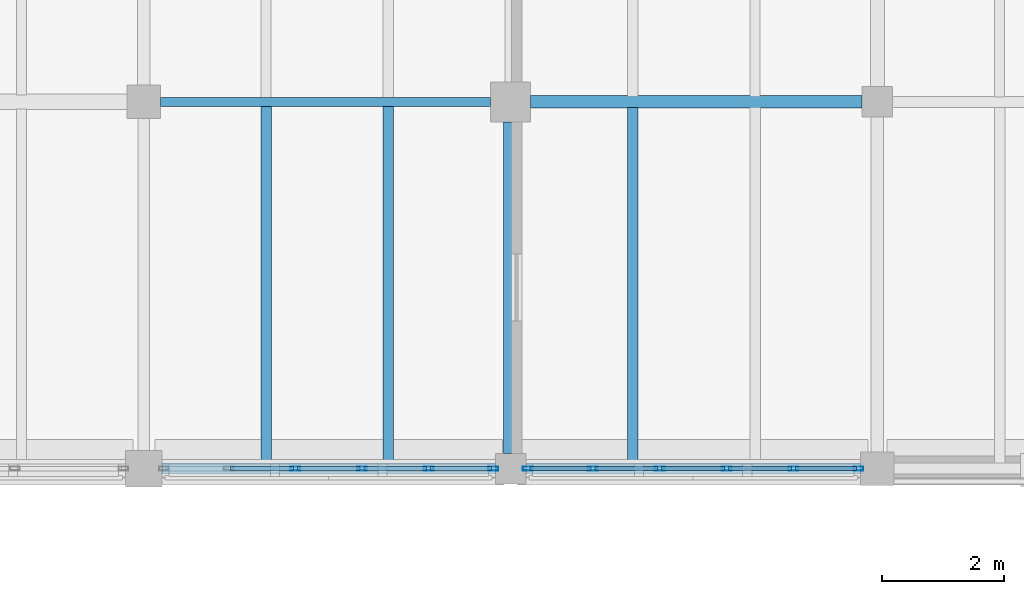
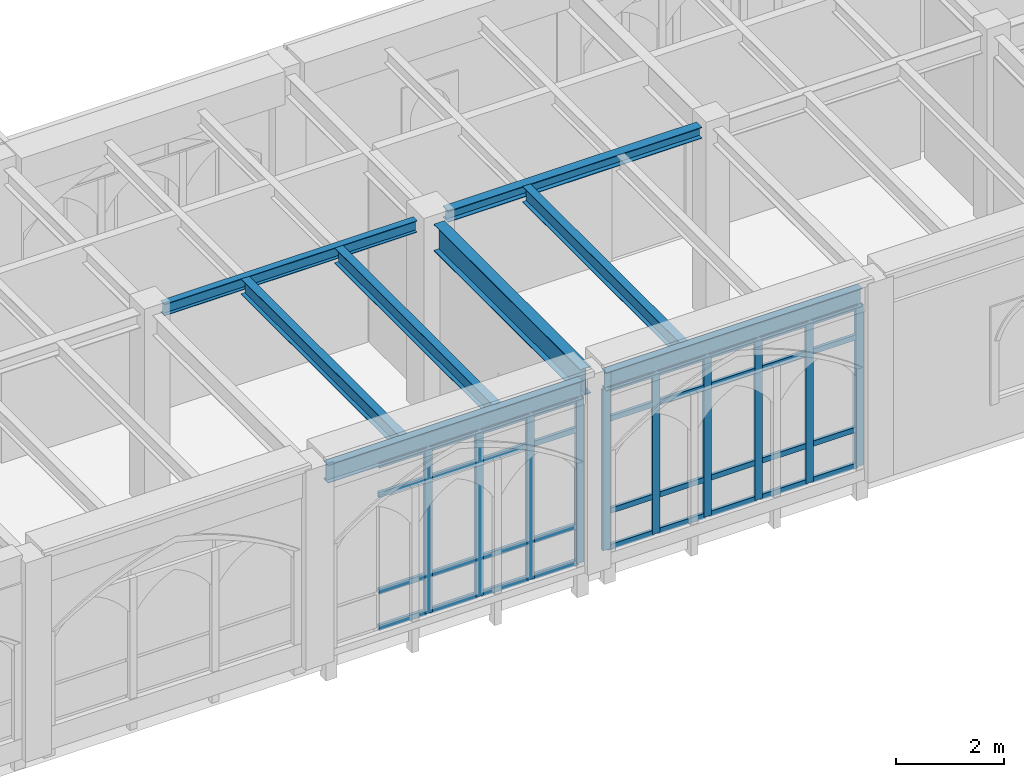
# One storey, part 26 of 143: 46 members, 8 beams, 2 elements without a shape of their own.
"""IFC4 building model written with IfcOpenShell, lengths in metres."""

from ifc_helpers import new_model, si_unit, direction, frame, origin, origin_2d, place, context, subcontext, project, spatial, hollow_rectangle, i_section, extrude, material, layer, layer_set, material_profile, profile_set, type_object, element, aggregate, save


model = new_model("IFC4")

# Units and contexts
model_context = context("Model", 3, precision=1e-05, world=origin(), true_north=direction((0.0, 1.0)))
body_context = subcontext(model_context, "Body", "Model", "MODEL_VIEW")
ifc_project = project(units=[si_unit("LENGTHUNIT", "METRE"), si_unit("AREAUNIT", "SQUARE_METRE"), si_unit("VOLUMEUNIT", "CUBIC_METRE"), si_unit("PLANEANGLEUNIT", "RADIAN"), si_unit("MASSUNIT", "GRAM", prefix="KILO")], contexts=[model_context])

# Site, building, storey
site_placement = place(None, origin())
site = spatial("IfcSite", under=ifc_project, at=site_placement, CompositionType="ELEMENT")
building_placement = place(site_placement, origin())
building = spatial("IfcBuilding", under=site, at=building_placement, Name="Cumevento Cable Car Station", CompositionType="ELEMENT")
storey_placement = place(building_placement, frame((0.0, 0.0, 9.0)))
storey = spatial("IfcBuildingStorey", under=building, at=storey_placement, Name="L03", CompositionType="ELEMENT", Elevation=9.0)

# Curtain wall, members
ifc_material_1 = material(Name="Anodised Bronze Aluminium AW-6063-T6", Category="aluminium")
ifc_layer_1 = layer(ifc_material_1, 0.159912109375)
ifc_layer_set_1 = layer_set([ifc_layer_1], Name="Anodised Bronze Aluminium AW-6063-T6")
curtain_wall_type_1 = type_object("IfcCurtainWallType", Name="Lancet Curtain Wall CW-01 1050", PredefinedType="NOTDEFINED", material=ifc_layer_set_1)
curtain_wall_1_placement = place(storey_placement, origin())
curtain_wall_1 = element("IfcCurtainWall", 1, at=curtain_wall_1_placement, inside=storey, type_object=curtain_wall_type_1, Name="Lancet Curtain Wall CW-01 L03 #96", PredefinedType="NOTDEFINED")
ifc_material_2 = material(Name="Anodised Bronze Aluminium AW-6063-T6", Category="aluminium")
ifc_material_profile_1 = material_profile(ifc_material_2, hollow_rectangle(XDim=0.06494140625, YDim=0.159912109375, WallThickness=0.00390625, at=origin_2d()), Name="ALUM65x160x4")
ifc_profile_set_1 = profile_set([ifc_material_profile_1], Name="Anodised Bronze Aluminium AW-6063-T6")
member_type_1 = type_object("IfcMemberType", Name="Curtain Mullion CWM-01 ALUM65x160x4", PredefinedType="MULLION", material=ifc_profile_set_1)
member_1_placement = place(storey_placement, frame((39.717529296875, 45.0, 0.159912109375), z_axis=(0.0, 0.0, 1.0), x_axis=(0.0, -1.0, 0.0)))
member_1 = element("IfcMember", 2, at=member_1_placement, type_object=member_type_1, Name="CW-01 mullion 1", PredefinedType="MULLION", context=body_context, shape_type="SweptSolid", body=[
    extrude(hollow_rectangle(XDim=0.06494140625, YDim=0.159912109375, WallThickness=0.00390625, at=origin_2d()), origin(), (0.0, 0.0, 1.0), 3.733154296875),
])
member_2_placement = place(storey_placement, frame((38.659912109375, 45.0, 0.159912109375), z_axis=(0.0, 0.0, 1.0), x_axis=(0.0, -1.0, 0.0)))
member_2 = element("IfcMember", 3, at=member_2_placement, type_object=member_type_1, Name="CW-01 mullion 2", PredefinedType="MULLION", context=body_context, shape_type="SweptSolid", body=[
    extrude(hollow_rectangle(XDim=0.06494140625, YDim=0.159912109375, WallThickness=0.00390625, at=origin_2d()), origin(), (0.0, 0.0, 1.0), 3.733154296875),
])
member_3_placement = place(storey_placement, frame((37.570068359375, 45.0, 0.159912109375), z_axis=(0.0, 0.0, 1.0), x_axis=(0.0, -1.0, 0.0)))
member_3 = element("IfcMember", 4, at=member_3_placement, type_object=member_type_1, Name="CW-01 mullion 3", PredefinedType="MULLION", context=body_context, shape_type="SweptSolid", body=[
    extrude(hollow_rectangle(XDim=0.06494140625, YDim=0.159912109375, WallThickness=0.00390625, at=origin_2d()), origin(), (0.0, 0.0, 1.0), 3.733154296875),
])
member_4_placement = place(storey_placement, frame((36.47998046875, 45.0, 0.159912109375), z_axis=(0.0, 0.0, 1.0), x_axis=(0.0, -1.0, 0.0)))
member_4 = element("IfcMember", 5, at=member_4_placement, type_object=member_type_1, Name="CW-01 mullion 4", PredefinedType="MULLION", context=body_context, shape_type="SweptSolid", body=[
    extrude(hollow_rectangle(XDim=0.06494140625, YDim=0.159912109375, WallThickness=0.00390625, at=origin_2d()), origin(), (0.0, 0.0, 1.0), 3.733154296875),
])

ifc_material_3 = material(Name="Anodised Bronze Aluminium AW-6063-T6", Category="aluminium")
ifc_layer_2 = layer(ifc_material_3, 0.172119140625)
ifc_layer_set_2 = layer_set([ifc_layer_2], Name="Anodised Bronze Aluminium AW-6063-T6")
curtain_wall_type_2 = type_object("IfcCurtainWallType", Name="Lancet Curtain Wall CW-03 1130", PredefinedType="NOTDEFINED", material=ifc_layer_set_2)
curtain_wall_2_placement = place(storey_placement, origin())
curtain_wall_2 = element("IfcCurtainWall", 6, at=curtain_wall_2_placement, inside=storey, type_object=curtain_wall_type_2, Name="Lancet Curtain Wall CW-03 L03 #98", PredefinedType="NOTDEFINED")
member_5_placement = place(storey_placement, frame((45.6923828125, 45.0, 0.260009765625), z_axis=(0.0, 0.0, 1.0), x_axis=(0.0, -1.0, 0.0)))
member_5 = element("IfcMember", 7, at=member_5_placement, type_object=member_type_1, Name="CW-03 mullion 1", PredefinedType="MULLION", context=body_context, shape_type="SweptSolid", body=[
    extrude(hollow_rectangle(XDim=0.06494140625, YDim=0.159912109375, WallThickness=0.00390625, at=origin_2d()), origin(), (0.0, 0.0, 1.0), 3.633056640625),
])
member_6_placement = place(storey_placement, frame((44.6298828125, 45.0, 0.260009765625), z_axis=(0.0, 0.0, 1.0), x_axis=(0.0, -1.0, 0.0)))
member_6 = element("IfcMember", 8, at=member_6_placement, type_object=member_type_1, Name="CW-03 mullion 2", PredefinedType="MULLION", context=body_context, shape_type="SweptSolid", body=[
    extrude(hollow_rectangle(XDim=0.06494140625, YDim=0.159912109375, WallThickness=0.00390625, at=origin_2d()), origin(), (0.0, 0.0, 1.0), 3.633056640625),
])
member_7_placement = place(storey_placement, frame((43.534912109375, 45.0, 0.260009765625), z_axis=(0.0, 0.0, 1.0), x_axis=(0.0, -1.0, 0.0)))
member_7 = element("IfcMember", 9, at=member_7_placement, type_object=member_type_1, Name="CW-03 mullion 3", PredefinedType="MULLION", context=body_context, shape_type="SweptSolid", body=[
    extrude(hollow_rectangle(XDim=0.06494140625, YDim=0.159912109375, WallThickness=0.00390625, at=origin_2d()), origin(), (0.0, 0.0, 1.0), 3.633056640625),
])
member_8_placement = place(storey_placement, frame((42.43994140625, 45.0, 0.260009765625), z_axis=(0.0, 0.0, 1.0), x_axis=(0.0, -1.0, 0.0)))
member_8 = element("IfcMember", 10, at=member_8_placement, type_object=member_type_1, Name="CW-03 mullion 4", PredefinedType="MULLION", context=body_context, shape_type="SweptSolid", body=[
    extrude(hollow_rectangle(XDim=0.06494140625, YDim=0.159912109375, WallThickness=0.00390625, at=origin_2d()), origin(), (0.0, 0.0, 1.0), 3.633056640625),
])
member_9_placement = place(storey_placement, frame((41.344970703125, 45.0, 0.260009765625), z_axis=(0.0, 0.0, 1.0), x_axis=(0.0, -1.0, 0.0)))
member_9 = element("IfcMember", 11, at=member_9_placement, type_object=member_type_1, Name="CW-03 mullion 5", PredefinedType="MULLION", context=body_context, shape_type="SweptSolid", body=[
    extrude(hollow_rectangle(XDim=0.06494140625, YDim=0.159912109375, WallThickness=0.00390625, at=origin_2d()), origin(), (0.0, 0.0, 1.0), 3.633056640625),
])
member_10_placement = place(storey_placement, frame((40.282470703125, 45.0, 0.260009765625), z_axis=(0.0, 0.0, 1.0), x_axis=(0.0, -1.0, 0.0)))
member_10 = element("IfcMember", 12, at=member_10_placement, type_object=member_type_1, Name="CW-03 mullion 6", PredefinedType="MULLION", context=body_context, shape_type="SweptSolid", body=[
    extrude(hollow_rectangle(XDim=0.06494140625, YDim=0.159912109375, WallThickness=0.00390625, at=origin_2d()), origin(), (0.0, 0.0, 1.0), 3.633056640625),
])

# Member
ifc_material_4 = material(Name="Anodised Bronze Aluminium AW-6063-T6", Category="aluminium")
ifc_material_profile_2 = material_profile(ifc_material_4, hollow_rectangle(XDim=0.06494140625, YDim=0.1201171875, WallThickness=0.00390625, at=origin_2d()), Name="ALUT65x120x4")
ifc_profile_set_2 = profile_set([ifc_material_profile_2], Name="Anodised Bronze Aluminium AW-6063-T6")
member_type_2 = type_object("IfcMemberType", Name="Curtain Transom CWT-01 ALUT65x120x4", PredefinedType="USERDEFINED", material=ifc_profile_set_2)
member_11_placement = place(storey_placement, frame((39.68505859375, 45.0, 0.1923828125), z_axis=(-1.0, 0.0, 0.0), x_axis=(0.0, -1.0, 0.0)))
member_11 = element("IfcMember", 13, at=member_11_placement, type_object=member_type_2, Name="CW-01 transom 1.1", ObjectType="TRANSOM", PredefinedType="USERDEFINED", context=body_context, shape_type="SweptSolid", body=[
    extrude(hollow_rectangle(XDim=0.06494140625, YDim=0.1201171875, WallThickness=0.00390625, at=origin_2d()), origin(), (0.0, 0.0, 1.0), 0.99267578125),
])

member_12_placement = place(storey_placement, frame((39.68505859375, 45.0, 1.010009765625), z_axis=(-1.0, 0.0, 0.0), x_axis=(0.0, -1.0, 0.0)))
member_12 = element("IfcMember", 14, at=member_12_placement, type_object=member_type_2, Name="CW-01 transom 1.2", ObjectType="TRANSOM", PredefinedType="USERDEFINED", context=body_context, shape_type="SweptSolid", body=[
    extrude(hollow_rectangle(XDim=0.06494140625, YDim=0.1201171875, WallThickness=0.00390625, at=origin_2d()), origin(), (0.0, 0.0, 1.0), 0.99267578125),
])

member_13_placement = place(storey_placement, frame((39.68505859375, 45.0, 3.193115234375), z_axis=(-1.0, 0.0, 0.0), x_axis=(0.0, -1.0, 0.0)))
member_13 = element("IfcMember", 15, at=member_13_placement, type_object=member_type_2, Name="CW-01 transom 1.3", ObjectType="TRANSOM", PredefinedType="USERDEFINED", context=body_context, shape_type="SweptSolid", body=[
    extrude(hollow_rectangle(XDim=0.06494140625, YDim=0.1201171875, WallThickness=0.00390625, at=origin_2d()), origin(), (0.0, 0.0, 1.0), 0.99267578125),
])

member_14_placement = place(storey_placement, frame((39.68505859375, 45.0, 3.860595703125), z_axis=(-1.0, 0.0, 0.0), x_axis=(0.0, -1.0, 0.0)))
member_14 = element("IfcMember", 16, at=member_14_placement, type_object=member_type_2, Name="CW-01 transom 1.4", ObjectType="TRANSOM", PredefinedType="USERDEFINED", context=body_context, shape_type="SweptSolid", body=[
    extrude(hollow_rectangle(XDim=0.06494140625, YDim=0.1201171875, WallThickness=0.00390625, at=origin_2d()), origin(), (0.0, 0.0, 1.0), 0.99267578125),
])

member_15_placement = place(storey_placement, frame((38.62744140625, 45.0, 0.1923828125), z_axis=(-1.0, 0.0, 0.0), x_axis=(0.0, -1.0, 0.0)))
member_15 = element("IfcMember", 17, at=member_15_placement, type_object=member_type_2, Name="CW-01 transom 2.1", ObjectType="TRANSOM", PredefinedType="USERDEFINED", context=body_context, shape_type="SweptSolid", body=[
    extrude(hollow_rectangle(XDim=0.06494140625, YDim=0.1201171875, WallThickness=0.00390625, at=origin_2d()), origin(), (0.0, 0.0, 1.0), 1.02490234375),
])

member_16_placement = place(storey_placement, frame((38.62744140625, 45.0, 1.010009765625), z_axis=(-1.0, 0.0, 0.0), x_axis=(0.0, -1.0, 0.0)))
member_16 = element("IfcMember", 18, at=member_16_placement, type_object=member_type_2, Name="CW-01 transom 2.2", ObjectType="TRANSOM", PredefinedType="USERDEFINED", context=body_context, shape_type="SweptSolid", body=[
    extrude(hollow_rectangle(XDim=0.06494140625, YDim=0.1201171875, WallThickness=0.00390625, at=origin_2d()), origin(), (0.0, 0.0, 1.0), 1.02490234375),
])

member_17_placement = place(storey_placement, frame((38.62744140625, 45.0, 3.193115234375), z_axis=(-1.0, 0.0, 0.0), x_axis=(0.0, -1.0, 0.0)))
member_17 = element("IfcMember", 19, at=member_17_placement, type_object=member_type_2, Name="CW-01 transom 2.3", ObjectType="TRANSOM", PredefinedType="USERDEFINED", context=body_context, shape_type="SweptSolid", body=[
    extrude(hollow_rectangle(XDim=0.06494140625, YDim=0.1201171875, WallThickness=0.00390625, at=origin_2d()), origin(), (0.0, 0.0, 1.0), 1.02490234375),
])

member_18_placement = place(storey_placement, frame((38.62744140625, 45.0, 3.860595703125), z_axis=(-1.0, 0.0, 0.0), x_axis=(0.0, -1.0, 0.0)))
member_18 = element("IfcMember", 20, at=member_18_placement, type_object=member_type_2, Name="CW-01 transom 2.4", ObjectType="TRANSOM", PredefinedType="USERDEFINED", context=body_context, shape_type="SweptSolid", body=[
    extrude(hollow_rectangle(XDim=0.06494140625, YDim=0.1201171875, WallThickness=0.00390625, at=origin_2d()), origin(), (0.0, 0.0, 1.0), 1.02490234375),
])

member_19_placement = place(storey_placement, frame((37.53759765625, 45.0, 0.1923828125), z_axis=(-1.0, 0.0, 0.0), x_axis=(0.0, -1.0, 0.0)))
member_19 = element("IfcMember", 21, at=member_19_placement, type_object=member_type_2, Name="CW-01 transom 3.1", ObjectType="TRANSOM", PredefinedType="USERDEFINED", context=body_context, shape_type="SweptSolid", body=[
    extrude(hollow_rectangle(XDim=0.06494140625, YDim=0.1201171875, WallThickness=0.00390625, at=origin_2d()), origin(), (0.0, 0.0, 1.0), 1.025146484375),
])

member_20_placement = place(storey_placement, frame((37.53759765625, 45.0, 1.010009765625), z_axis=(-1.0, 0.0, 0.0), x_axis=(0.0, -1.0, 0.0)))
member_20 = element("IfcMember", 22, at=member_20_placement, type_object=member_type_2, Name="CW-01 transom 3.2", ObjectType="TRANSOM", PredefinedType="USERDEFINED", context=body_context, shape_type="SweptSolid", body=[
    extrude(hollow_rectangle(XDim=0.06494140625, YDim=0.1201171875, WallThickness=0.00390625, at=origin_2d()), origin(), (0.0, 0.0, 1.0), 1.025146484375),
])

member_21_placement = place(storey_placement, frame((37.53759765625, 45.0, 3.193115234375), z_axis=(-1.0, 0.0, 0.0), x_axis=(0.0, -1.0, 0.0)))
member_21 = element("IfcMember", 23, at=member_21_placement, type_object=member_type_2, Name="CW-01 transom 3.3", ObjectType="TRANSOM", PredefinedType="USERDEFINED", context=body_context, shape_type="SweptSolid", body=[
    extrude(hollow_rectangle(XDim=0.06494140625, YDim=0.1201171875, WallThickness=0.00390625, at=origin_2d()), origin(), (0.0, 0.0, 1.0), 1.025146484375),
])

member_22_placement = place(storey_placement, frame((37.53759765625, 45.0, 3.860595703125), z_axis=(-1.0, 0.0, 0.0), x_axis=(0.0, -1.0, 0.0)))
member_22 = element("IfcMember", 24, at=member_22_placement, type_object=member_type_2, Name="CW-01 transom 3.4", ObjectType="TRANSOM", PredefinedType="USERDEFINED", context=body_context, shape_type="SweptSolid", body=[
    extrude(hollow_rectangle(XDim=0.06494140625, YDim=0.1201171875, WallThickness=0.00390625, at=origin_2d()), origin(), (0.0, 0.0, 1.0), 1.025146484375),
])

member_23_placement = place(storey_placement, frame((36.447509765625, 45.0, 0.1923828125), z_axis=(-1.0, 0.0, 0.0), x_axis=(0.0, -1.0, 0.0)))
member_23 = element("IfcMember", 25, at=member_23_placement, type_object=member_type_2, Name="CW-01 transom 4.1", ObjectType="TRANSOM", PredefinedType="USERDEFINED", context=body_context, shape_type="SweptSolid", body=[
    extrude(hollow_rectangle(XDim=0.06494140625, YDim=0.1201171875, WallThickness=0.00390625, at=origin_2d()), origin(), (0.0, 0.0, 1.0), 1.02490234375),
])

member_24_placement = place(storey_placement, frame((36.447509765625, 45.0, 1.010009765625), z_axis=(-1.0, 0.0, 0.0), x_axis=(0.0, -1.0, 0.0)))
member_24 = element("IfcMember", 26, at=member_24_placement, type_object=member_type_2, Name="CW-01 transom 4.2", ObjectType="TRANSOM", PredefinedType="USERDEFINED", context=body_context, shape_type="SweptSolid", body=[
    extrude(hollow_rectangle(XDim=0.06494140625, YDim=0.1201171875, WallThickness=0.00390625, at=origin_2d()), origin(), (0.0, 0.0, 1.0), 1.02490234375),
])

member_25_placement = place(storey_placement, frame((36.447509765625, 45.0, 3.193115234375), z_axis=(-1.0, 0.0, 0.0), x_axis=(0.0, -1.0, 0.0)))
member_25 = element("IfcMember", 27, at=member_25_placement, type_object=member_type_2, Name="CW-01 transom 4.3", ObjectType="TRANSOM", PredefinedType="USERDEFINED", context=body_context, shape_type="SweptSolid", body=[
    extrude(hollow_rectangle(XDim=0.06494140625, YDim=0.1201171875, WallThickness=0.00390625, at=origin_2d()), origin(), (0.0, 0.0, 1.0), 1.02490234375),
])

member_26_placement = place(storey_placement, frame((36.447509765625, 45.0, 3.860595703125), z_axis=(-1.0, 0.0, 0.0), x_axis=(0.0, -1.0, 0.0)))
member_26 = element("IfcMember", 28, at=member_26_placement, type_object=member_type_2, Name="CW-01 transom 4.4", ObjectType="TRANSOM", PredefinedType="USERDEFINED", context=body_context, shape_type="SweptSolid", body=[
    extrude(hollow_rectangle(XDim=0.06494140625, YDim=0.1201171875, WallThickness=0.00390625, at=origin_2d()), origin(), (0.0, 0.0, 1.0), 1.02490234375),
])

aggregate(curtain_wall_1, [member_1, member_2, member_3, member_4, member_11, member_12, member_13, member_14, member_15, member_16, member_17, member_18, member_19, member_20, member_21, member_22, member_23, member_24, member_25, member_26])

member_27_placement = place(storey_placement, frame((45.659912109375, 45.0, 0.29248046875), z_axis=(-1.0, 0.0, 0.0), x_axis=(0.0, -1.0, 0.0)))
member_27 = element("IfcMember", 29, at=member_27_placement, type_object=member_type_2, Name="CW-03 transom 1.1", ObjectType="TRANSOM", PredefinedType="USERDEFINED", context=body_context, shape_type="SweptSolid", body=[
    extrude(hollow_rectangle(XDim=0.06494140625, YDim=0.1201171875, WallThickness=0.00390625, at=origin_2d()), origin(), (0.0, 0.0, 1.0), 0.997314453125),
])

member_28_placement = place(storey_placement, frame((45.659912109375, 45.0, 1.110107421875), z_axis=(-1.0, 0.0, 0.0), x_axis=(0.0, -1.0, 0.0)))
member_28 = element("IfcMember", 30, at=member_28_placement, type_object=member_type_2, Name="CW-03 transom 1.2", ObjectType="TRANSOM", PredefinedType="USERDEFINED", context=body_context, shape_type="SweptSolid", body=[
    extrude(hollow_rectangle(XDim=0.06494140625, YDim=0.1201171875, WallThickness=0.00390625, at=origin_2d()), origin(), (0.0, 0.0, 1.0), 0.997314453125),
])

member_29_placement = place(storey_placement, frame((45.659912109375, 45.0, 3.193115234375), z_axis=(-1.0, 0.0, 0.0), x_axis=(0.0, -1.0, 0.0)))
member_29 = element("IfcMember", 31, at=member_29_placement, type_object=member_type_2, Name="CW-03 transom 1.3", ObjectType="TRANSOM", PredefinedType="USERDEFINED", context=body_context, shape_type="SweptSolid", body=[
    extrude(hollow_rectangle(XDim=0.06494140625, YDim=0.1201171875, WallThickness=0.00390625, at=origin_2d()), origin(), (0.0, 0.0, 1.0), 0.997314453125),
])

member_30_placement = place(storey_placement, frame((45.659912109375, 45.0, 3.860595703125), z_axis=(-1.0, 0.0, 0.0), x_axis=(0.0, -1.0, 0.0)))
member_30 = element("IfcMember", 32, at=member_30_placement, type_object=member_type_2, Name="CW-03 transom 1.4", ObjectType="TRANSOM", PredefinedType="USERDEFINED", context=body_context, shape_type="SweptSolid", body=[
    extrude(hollow_rectangle(XDim=0.06494140625, YDim=0.1201171875, WallThickness=0.00390625, at=origin_2d()), origin(), (0.0, 0.0, 1.0), 0.997314453125),
])

member_31_placement = place(storey_placement, frame((44.597412109375, 45.0, 0.29248046875), z_axis=(-1.0, 0.0, 0.0), x_axis=(0.0, -1.0, 0.0)))
member_31 = element("IfcMember", 33, at=member_31_placement, type_object=member_type_2, Name="CW-03 transom 2.1", ObjectType="TRANSOM", PredefinedType="USERDEFINED", context=body_context, shape_type="SweptSolid", body=[
    extrude(hollow_rectangle(XDim=0.06494140625, YDim=0.1201171875, WallThickness=0.00390625, at=origin_2d()), origin(), (0.0, 0.0, 1.0), 1.030029296875),
])

member_32_placement = place(storey_placement, frame((44.597412109375, 45.0, 1.110107421875), z_axis=(-1.0, 0.0, 0.0), x_axis=(0.0, -1.0, 0.0)))
member_32 = element("IfcMember", 34, at=member_32_placement, type_object=member_type_2, Name="CW-03 transom 2.2", ObjectType="TRANSOM", PredefinedType="USERDEFINED", context=body_context, shape_type="SweptSolid", body=[
    extrude(hollow_rectangle(XDim=0.06494140625, YDim=0.1201171875, WallThickness=0.00390625, at=origin_2d()), origin(), (0.0, 0.0, 1.0), 1.030029296875),
])

member_33_placement = place(storey_placement, frame((44.597412109375, 45.0, 3.193115234375), z_axis=(-1.0, 0.0, 0.0), x_axis=(0.0, -1.0, 0.0)))
member_33 = element("IfcMember", 35, at=member_33_placement, type_object=member_type_2, Name="CW-03 transom 2.3", ObjectType="TRANSOM", PredefinedType="USERDEFINED", context=body_context, shape_type="SweptSolid", body=[
    extrude(hollow_rectangle(XDim=0.06494140625, YDim=0.1201171875, WallThickness=0.00390625, at=origin_2d()), origin(), (0.0, 0.0, 1.0), 1.030029296875),
])

member_34_placement = place(storey_placement, frame((44.597412109375, 45.0, 3.860595703125), z_axis=(-1.0, 0.0, 0.0), x_axis=(0.0, -1.0, 0.0)))
member_34 = element("IfcMember", 36, at=member_34_placement, type_object=member_type_2, Name="CW-03 transom 2.4", ObjectType="TRANSOM", PredefinedType="USERDEFINED", context=body_context, shape_type="SweptSolid", body=[
    extrude(hollow_rectangle(XDim=0.06494140625, YDim=0.1201171875, WallThickness=0.00390625, at=origin_2d()), origin(), (0.0, 0.0, 1.0), 1.030029296875),
])

member_35_placement = place(storey_placement, frame((43.50244140625, 45.0, 0.29248046875), z_axis=(-1.0, 0.0, 0.0), x_axis=(0.0, -1.0, 0.0)))
member_35 = element("IfcMember", 37, at=member_35_placement, type_object=member_type_2, Name="CW-03 transom 3.1", ObjectType="TRANSOM", PredefinedType="USERDEFINED", context=body_context, shape_type="SweptSolid", body=[
    extrude(hollow_rectangle(XDim=0.06494140625, YDim=0.1201171875, WallThickness=0.00390625, at=origin_2d()), origin(), (0.0, 0.0, 1.0), 1.030029296875),
])

member_36_placement = place(storey_placement, frame((43.50244140625, 45.0, 1.110107421875), z_axis=(-1.0, 0.0, 0.0), x_axis=(0.0, -1.0, 0.0)))
member_36 = element("IfcMember", 38, at=member_36_placement, type_object=member_type_2, Name="CW-03 transom 3.2", ObjectType="TRANSOM", PredefinedType="USERDEFINED", context=body_context, shape_type="SweptSolid", body=[
    extrude(hollow_rectangle(XDim=0.06494140625, YDim=0.1201171875, WallThickness=0.00390625, at=origin_2d()), origin(), (0.0, 0.0, 1.0), 1.030029296875),
])

member_37_placement = place(storey_placement, frame((43.50244140625, 45.0, 3.193115234375), z_axis=(-1.0, 0.0, 0.0), x_axis=(0.0, -1.0, 0.0)))
member_37 = element("IfcMember", 39, at=member_37_placement, type_object=member_type_2, Name="CW-03 transom 3.3", ObjectType="TRANSOM", PredefinedType="USERDEFINED", context=body_context, shape_type="SweptSolid", body=[
    extrude(hollow_rectangle(XDim=0.06494140625, YDim=0.1201171875, WallThickness=0.00390625, at=origin_2d()), origin(), (0.0, 0.0, 1.0), 1.030029296875),
])

member_38_placement = place(storey_placement, frame((43.50244140625, 45.0, 3.860595703125), z_axis=(-1.0, 0.0, 0.0), x_axis=(0.0, -1.0, 0.0)))
member_38 = element("IfcMember", 40, at=member_38_placement, type_object=member_type_2, Name="CW-03 transom 3.4", ObjectType="TRANSOM", PredefinedType="USERDEFINED", context=body_context, shape_type="SweptSolid", body=[
    extrude(hollow_rectangle(XDim=0.06494140625, YDim=0.1201171875, WallThickness=0.00390625, at=origin_2d()), origin(), (0.0, 0.0, 1.0), 1.030029296875),
])

member_39_placement = place(storey_placement, frame((42.407470703125, 45.0, 0.29248046875), z_axis=(-1.0, 0.0, 0.0), x_axis=(0.0, -1.0, 0.0)))
member_39 = element("IfcMember", 41, at=member_39_placement, type_object=member_type_2, Name="CW-03 transom 4.1", ObjectType="TRANSOM", PredefinedType="USERDEFINED", context=body_context, shape_type="SweptSolid", body=[
    extrude(hollow_rectangle(XDim=0.06494140625, YDim=0.1201171875, WallThickness=0.00390625, at=origin_2d()), origin(), (0.0, 0.0, 1.0), 1.030029296875),
])

member_40_placement = place(storey_placement, frame((42.407470703125, 45.0, 1.110107421875), z_axis=(-1.0, 0.0, 0.0), x_axis=(0.0, -1.0, 0.0)))
member_40 = element("IfcMember", 42, at=member_40_placement, type_object=member_type_2, Name="CW-03 transom 4.2", ObjectType="TRANSOM", PredefinedType="USERDEFINED", context=body_context, shape_type="SweptSolid", body=[
    extrude(hollow_rectangle(XDim=0.06494140625, YDim=0.1201171875, WallThickness=0.00390625, at=origin_2d()), origin(), (0.0, 0.0, 1.0), 1.030029296875),
])

member_41_placement = place(storey_placement, frame((42.407470703125, 45.0, 3.193115234375), z_axis=(-1.0, 0.0, 0.0), x_axis=(0.0, -1.0, 0.0)))
member_41 = element("IfcMember", 43, at=member_41_placement, type_object=member_type_2, Name="CW-03 transom 4.3", ObjectType="TRANSOM", PredefinedType="USERDEFINED", context=body_context, shape_type="SweptSolid", body=[
    extrude(hollow_rectangle(XDim=0.06494140625, YDim=0.1201171875, WallThickness=0.00390625, at=origin_2d()), origin(), (0.0, 0.0, 1.0), 1.030029296875),
])

member_42_placement = place(storey_placement, frame((42.407470703125, 45.0, 3.860595703125), z_axis=(-1.0, 0.0, 0.0), x_axis=(0.0, -1.0, 0.0)))
member_42 = element("IfcMember", 44, at=member_42_placement, type_object=member_type_2, Name="CW-03 transom 4.4", ObjectType="TRANSOM", PredefinedType="USERDEFINED", context=body_context, shape_type="SweptSolid", body=[
    extrude(hollow_rectangle(XDim=0.06494140625, YDim=0.1201171875, WallThickness=0.00390625, at=origin_2d()), origin(), (0.0, 0.0, 1.0), 1.030029296875),
])

member_43_placement = place(storey_placement, frame((41.3125, 45.0, 0.29248046875), z_axis=(-1.0, 0.0, 0.0), x_axis=(0.0, -1.0, 0.0)))
member_43 = element("IfcMember", 45, at=member_43_placement, type_object=member_type_2, Name="CW-03 transom 5.1", ObjectType="TRANSOM", PredefinedType="USERDEFINED", context=body_context, shape_type="SweptSolid", body=[
    extrude(hollow_rectangle(XDim=0.06494140625, YDim=0.1201171875, WallThickness=0.00390625, at=origin_2d()), origin(), (0.0, 0.0, 1.0), 0.99755859375),
])

member_44_placement = place(storey_placement, frame((41.3125, 45.0, 1.110107421875), z_axis=(-1.0, 0.0, 0.0), x_axis=(0.0, -1.0, 0.0)))
member_44 = element("IfcMember", 46, at=member_44_placement, type_object=member_type_2, Name="CW-03 transom 5.2", ObjectType="TRANSOM", PredefinedType="USERDEFINED", context=body_context, shape_type="SweptSolid", body=[
    extrude(hollow_rectangle(XDim=0.06494140625, YDim=0.1201171875, WallThickness=0.00390625, at=origin_2d()), origin(), (0.0, 0.0, 1.0), 0.99755859375),
])

member_45_placement = place(storey_placement, frame((41.3125, 45.0, 3.193115234375), z_axis=(-1.0, 0.0, 0.0), x_axis=(0.0, -1.0, 0.0)))
member_45 = element("IfcMember", 47, at=member_45_placement, type_object=member_type_2, Name="CW-03 transom 5.3", ObjectType="TRANSOM", PredefinedType="USERDEFINED", context=body_context, shape_type="SweptSolid", body=[
    extrude(hollow_rectangle(XDim=0.06494140625, YDim=0.1201171875, WallThickness=0.00390625, at=origin_2d()), origin(), (0.0, 0.0, 1.0), 0.99755859375),
])

member_46_placement = place(storey_placement, frame((41.3125, 45.0, 3.860595703125), z_axis=(-1.0, 0.0, 0.0), x_axis=(0.0, -1.0, 0.0)))
member_46 = element("IfcMember", 48, at=member_46_placement, type_object=member_type_2, Name="CW-03 transom 5.4", ObjectType="TRANSOM", PredefinedType="USERDEFINED", context=body_context, shape_type="SweptSolid", body=[
    extrude(hollow_rectangle(XDim=0.06494140625, YDim=0.1201171875, WallThickness=0.00390625, at=origin_2d()), origin(), (0.0, 0.0, 1.0), 0.99755859375),
])

aggregate(curtain_wall_2, [member_5, member_6, member_7, member_8, member_9, member_10, member_27, member_28, member_29, member_30, member_31, member_32, member_33, member_34, member_35, member_36, member_37, member_38, member_39, member_40, member_41, member_42, member_43, member_44, member_45, member_46])

# Beams
ifc_material_5 = material(Name="Steel ASTM A572 Grade 50", Category="steel")
ifc_material_profile_3 = material_profile(ifc_material_5, i_section(OverallWidth=0.22802734375, OverallDepth=0.60791015625, WebThickness=0.01123046875, FlangeThickness=0.017333984375, at=origin_2d()), Name="W610x113.0")
ifc_profile_set_3 = profile_set([ifc_material_profile_3], Name="Steel ASTM A572 Grade 50")
beam_type_1 = type_object("IfcBeamType", Name="Structural Beam BM-02 W610x113.0", PredefinedType="BEAM", material=ifc_profile_set_3)
beam_1_placement = place(storey_placement, frame((40.0, 45.25, 3.99609375), z_axis=(0.0, 1.0, 0.0), x_axis=(-1.0, 0.0, 0.0)))
element("IfcBeam", 49, at=beam_1_placement, inside=storey, type_object=beam_type_1, Name="Beam BM-02 L03 #1042", PredefinedType="BEAM", context=body_context, shape_type="SweptSolid", body=[
    extrude(i_section(OverallWidth=0.22802734375, OverallDepth=0.60791015625, WebThickness=0.01123046875, FlangeThickness=0.017333984375, at=origin_2d()), origin(), (0.0, 0.0, 1.0), 5.425048828125),
])
ifc_material_6 = material(Name="Steel ASTM A572 Grade 50", Category="steel")
ifc_material_profile_4 = material_profile(ifc_material_6, i_section(OverallWidth=0.14794921875, OverallDepth=0.26611328125, WebThickness=0.007568359375, FlangeThickness=0.012939453125, at=origin_2d()), Name="W250x44.8")
ifc_profile_set_4 = profile_set([ifc_material_profile_4], Name="Steel ASTM A572 Grade 50")
beam_type_2 = type_object("IfcBeamType", Name="Structural Beam BM-07 W250x44.8", PredefinedType="BEAM", material=ifc_profile_set_4)
beam_2_placement = place(storey_placement, frame((34.27490234375, 51.0, 4.1669921875), z_axis=(1.0, 0.0, 0.0), x_axis=(0.0, 1.0, 0.0)))
element("IfcBeam", 50, at=beam_2_placement, inside=storey, type_object=beam_type_2, Name="Beam BM-07 L03 #1028", PredefinedType="BEAM", context=body_context, shape_type="SweptSolid", body=[
    extrude(i_section(OverallWidth=0.14794921875, OverallDepth=0.26611328125, WebThickness=0.007568359375, FlangeThickness=0.012939453125, at=origin_2d()), origin(), (0.0, 0.0, 1.0), 5.400146484375),
])
ifc_material_7 = material(Name="Steel ASTM A572 Grade 50", Category="steel")
ifc_material_profile_5 = material_profile(ifc_material_7, i_section(OverallWidth=0.202880859375, OverallDepth=0.251953125, WebThickness=0.008056640625, FlangeThickness=0.013427734375, at=origin_2d()), Name="W250x58.0")
ifc_profile_set_5 = profile_set([ifc_material_profile_5], Name="Steel ASTM A572 Grade 50")
beam_type_3 = type_object("IfcBeamType", Name="Structural Beam BM-08 W250x58.0", PredefinedType="BEAM", material=ifc_profile_set_5)
beam_3_placement = place(storey_placement, frame((40.324951171875, 51.0, 4.174072265625), z_axis=(1.0, 0.0, 0.0), x_axis=(0.0, 1.0, 0.0)))
element("IfcBeam", 51, at=beam_3_placement, inside=storey, type_object=beam_type_3, Name="Beam BM-08 L03 #1029", PredefinedType="BEAM", context=body_context, shape_type="SweptSolid", body=[
    extrude(i_section(OverallWidth=0.202880859375, OverallDepth=0.251953125, WebThickness=0.008056640625, FlangeThickness=0.013427734375, at=origin_2d()), origin(), (0.0, 0.0, 1.0), 5.425048828125),
])
ifc_material_8 = material(Name="Steel ASTM A572 Grade 50", Category="steel")
ifc_material_profile_6 = material_profile(ifc_material_8, i_section(OverallWidth=0.1708984375, OverallDepth=0.35498046875, WebThickness=0.007080078125, FlangeThickness=0.01171875, at=origin_2d()), Name="W360x51.0")
ifc_profile_set_6 = profile_set([ifc_material_profile_6], Name="Steel ASTM A572 Grade 50")
beam_type_4 = type_object("IfcBeamType", Name="Structural Joist JS-01 W360x51.0", PredefinedType="JOIST", material=ifc_profile_set_6)
for number, where, z_axis, x_axis, name in (
    (52, (36.0, 45.076904296875, 4.12255859375), (0.0, 1.0, 0.0), (-1.0, 0.0, 0.0), "Composite Floor Joist JS-01 L03 #1226"),
    (53, (38.0, 45.076904296875, 4.12255859375), (0.0, 1.0, 0.0), (-1.0, 0.0, 0.0), "Composite Floor Joist JS-01 L03 #1228"),
):
    element("IfcBeam", number, at=place(storey_placement, frame(where, z_axis=z_axis, x_axis=x_axis)), inside=storey, type_object=beam_type_4, Name=name, PredefinedType="JOIST", context=body_context, shape_type="SweptSolid", body=[
        extrude(i_section(OverallWidth=0.1708984375, OverallDepth=0.35498046875, WebThickness=0.007080078125, FlangeThickness=0.01171875, at=origin_2d()), origin(), (0.0, 0.0, 1.0), 5.861083984375),
    ])
beam_4_placement = place(storey_placement, frame((42.0, 45.076904296875, 4.12255859375), z_axis=(0.0, 1.0, 0.0), x_axis=(-1.0, 0.0, 0.0)))
element("IfcBeam", 54, at=beam_4_placement, inside=storey, type_object=beam_type_4, Name="Composite Floor Joist JS-01 L03 #1230", PredefinedType="JOIST", context=body_context, shape_type="SweptSolid", body=[
    extrude(i_section(OverallWidth=0.1708984375, OverallDepth=0.35498046875, WebThickness=0.007080078125, FlangeThickness=0.01171875, at=origin_2d()), origin(), (0.0, 0.0, 1.0), 5.83349609375),
])
ifc_material_9 = material(Name="Steel ASTM A572 Grade 50", Category="steel")
ifc_material_profile_7 = material_profile(ifc_material_9, i_section(OverallWidth=0.177978515625, OverallDepth=0.406982421875, WebThickness=0.0078125, FlangeThickness=0.0126953125, at=origin_2d()), Name="W410x60.0")
ifc_profile_set_7 = profile_set([ifc_material_profile_7], Name="Steel ASTM A572 Grade 50")
beam_type_5 = type_object("IfcBeamType", Name="Structural Spandrel SP-01 W410x60.0", PredefinedType="SPANDREL", material=ifc_profile_set_7)
beam_5_placement = place(storey_placement, frame((34.300048828125, 45.0, 4.096435546875), z_axis=(1.0, 0.0, 0.0), x_axis=(0.0, 1.0, 0.0)))
element("IfcBeam", 55, at=beam_5_placement, inside=storey, type_object=beam_type_5, Name="Beam SP-01 L03 #1023", PredefinedType="SPANDREL", context=body_context, shape_type="SweptSolid", body=[
    extrude(i_section(OverallWidth=0.177978515625, OverallDepth=0.406982421875, WebThickness=0.0078125, FlangeThickness=0.0126953125, at=origin_2d()), origin(), (0.0, 0.0, 1.0), 5.449951171875),
])
beam_6_placement = place(storey_placement, frame((40.25, 45.0, 4.096435546875), z_axis=(1.0, 0.0, 0.0), x_axis=(0.0, 1.0, 0.0)))
element("IfcBeam", 56, at=beam_6_placement, inside=storey, type_object=beam_type_5, Name="Beam SP-01 L03 #1024", PredefinedType="SPANDREL", context=body_context, shape_type="SweptSolid", body=[
    extrude(i_section(OverallWidth=0.177978515625, OverallDepth=0.406982421875, WebThickness=0.0078125, FlangeThickness=0.0126953125, at=origin_2d()), origin(), (0.0, 0.0, 1.0), 5.47509765625),
])

save(model, "model.ifc")
